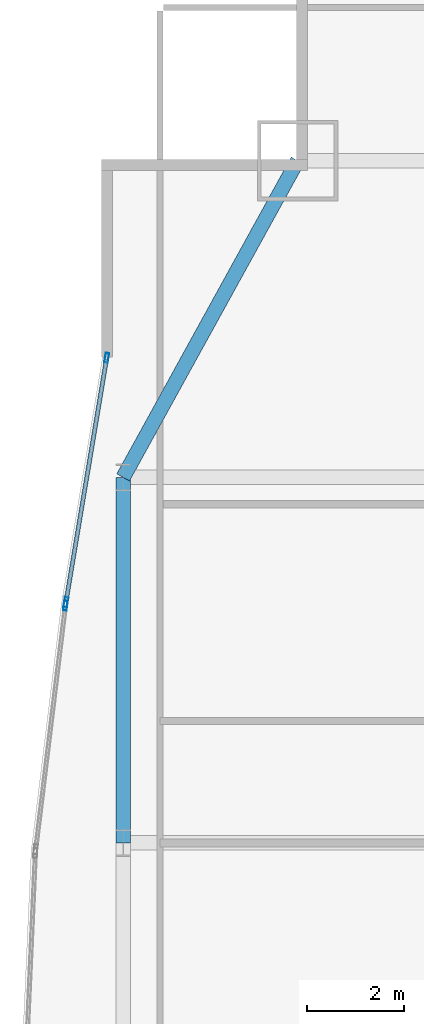
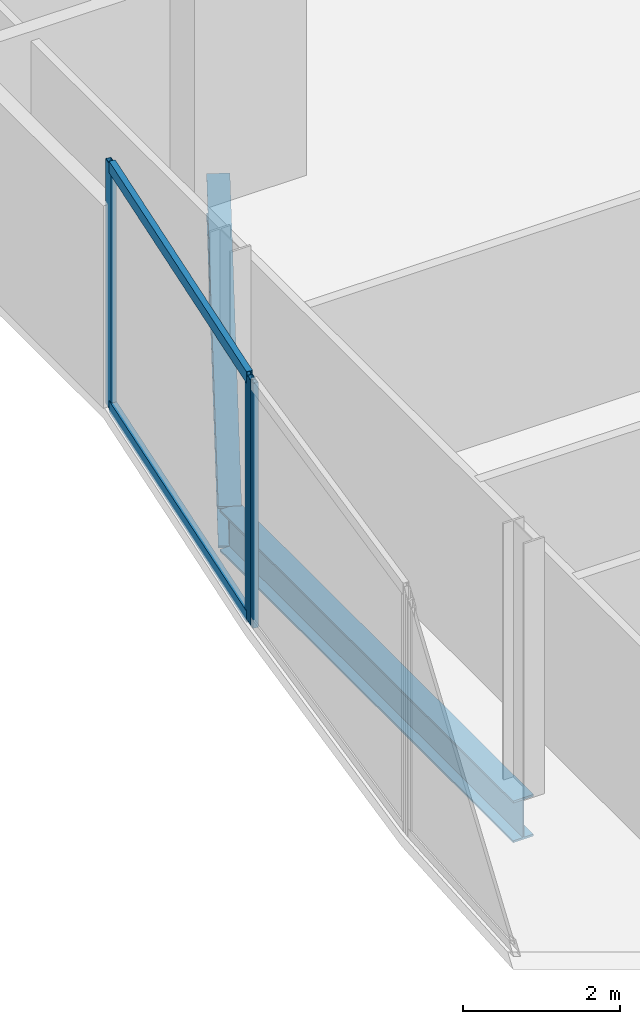
# One storey, part 16 of 32: 5 members, 2 beams, 2 elements without a shape of their own.
"""IFC4 building model written with IfcOpenShell, lengths in metres."""

from ifc_helpers import new_model, si_unit, direction, frame, origin, origin_2d, place, context, subcontext, project, spatial, hollow_rectangle, i_section, extrude, material, material_profile, profile_set, type_object, element, aggregate, save


model = new_model("IFC4")

# Units and contexts
model_context = context("Model", 3, precision=1e-05, world=origin(), true_north=direction((0.0, 1.0)))
body_context = subcontext(model_context, "Body", "Model", "MODEL_VIEW")
ifc_project = project(units=[si_unit("LENGTHUNIT", "METRE"), si_unit("AREAUNIT", "SQUARE_METRE"), si_unit("VOLUMEUNIT", "CUBIC_METRE"), si_unit("PLANEANGLEUNIT", "RADIAN"), si_unit("MASSUNIT", "GRAM", prefix="KILO")], contexts=[model_context])

# Site, building, storey
site_placement = place(None, origin())
site = spatial("IfcSite", under=ifc_project, at=site_placement, CompositionType="ELEMENT")
building_placement = place(site_placement, origin())
building = spatial("IfcBuilding", under=site, at=building_placement, Name="Khoronbel Lancet Exchange", CompositionType="ELEMENT")
storey_placement = place(building_placement, frame((0.0, 0.0, 41.800048828125)))
storey = spatial("IfcBuildingStorey", under=building, at=storey_placement, Name="L09", CompositionType="ELEMENT", Elevation=41.800048828125)

# Beams
ifc_material_1 = material(Name="Steel S355", Category="steel")
ifc_material_profile_1 = material_profile(ifc_material_1, i_section(OverallWidth=0.300048828125, OverallDepth=0.64990234375, WebThickness=0.01611328125, FlangeThickness=0.031005859375, at=origin_2d()), Name="HEB 650")
ifc_profile_set_1 = profile_set([ifc_material_profile_1], Name="Steel S355")
beam_type = type_object("IfcBeamType", Name="BM-BSP1", PredefinedType="SPANDREL", material=ifc_profile_set_1)
beam_1_placement = place(storey_placement, frame((4.85009765625, 49.699951171875, -0.505126953125), z_axis=(-0.482444051088, -0.875926787791, 0.0), x_axis=(0.875926787791, -0.482444051088, 0.0)))
element("IfcBeam", 1, at=beam_1_placement, inside=storey, type_object=beam_type, Name="Level L09 perimeter spandrel beam SP16", PredefinedType="SPANDREL", context=body_context, shape_type="SweptSolid", body=[
    extrude(i_section(OverallWidth=0.300048828125, OverallDepth=0.64990234375, WebThickness=0.01611328125, FlangeThickness=0.031005859375, at=origin_2d()), origin(), (0.0, 0.0, 1.0), 7.420654296875),
])
beam_2_placement = place(storey_placement, frame((1.27001953125, 43.199951171875, -0.505126953125), z_axis=(0.0, -1.0, 0.0), x_axis=(1.0, 0.0, 0.0)))
element("IfcBeam", 2, at=beam_2_placement, inside=storey, type_object=beam_type, Name="Level L09 perimeter spandrel beam SP17", PredefinedType="SPANDREL", context=body_context, shape_type="SweptSolid", body=[
    extrude(i_section(OverallWidth=0.300048828125, OverallDepth=0.64990234375, WebThickness=0.01611328125, FlangeThickness=0.031005859375, at=origin_2d()), origin(), (0.0, 0.0, 1.0), 7.5),
])

# Curtain wall, member
ifc_material_2 = material(Name="Low-E Solar Control Insulating Glass", Category="glass")
curtain_wall_type = type_object("IfcCurtainWallType", Name="CW-4", PredefinedType="NOTDEFINED", material=ifc_material_2)
curtain_wall_1_placement = place(storey_placement, origin())
curtain_wall_1 = element("IfcCurtainWall", 3, at=curtain_wall_1_placement, inside=storey, type_object=curtain_wall_type, Name="Unitised curtain wall CW-L09-E08", PredefinedType="NOTDEFINED")
ifc_material_3 = material(Name="Bronze-Anodised Aluminium 6063-T6", Category="aluminium")
ifc_material_profile_2 = material_profile(ifc_material_3, hollow_rectangle(XDim=0.074951171875, YDim=0.199951171875, WallThickness=0.0048828125, at=origin_2d()), Name="ALU MULLION 75x200")
ifc_profile_set_2 = profile_set([ifc_material_profile_2], Name="Bronze-Anodised Aluminium 6063-T6")
member_type_1 = type_object("IfcMemberType", Name="MEM-CWM2", PredefinedType="MULLION", material=ifc_profile_set_2)
member_1_placement = place(storey_placement, frame((0.086181640625, 40.566650390625, 0.0), z_axis=(0.0, 0.0, 1.0), x_axis=(-0.992621623813, 0.121253090432, 0.0)))
member_1 = element("IfcMember", 4, at=member_1_placement, type_object=member_type_1, Name="CW4 mullion 2", PredefinedType="MULLION", context=body_context, shape_type="SweptSolid", body=[
    extrude(hollow_rectangle(XDim=0.074951171875, YDim=0.199951171875, WallThickness=0.0048828125, at=origin_2d()), origin(), (0.0, 0.0, 1.0), 3.820068359375),
])
aggregate(curtain_wall_1, [member_1])

# Curtain wall, members
curtain_wall_2_placement = place(storey_placement, origin())
curtain_wall_2 = element("IfcCurtainWall", 5, at=curtain_wall_2_placement, inside=storey, type_object=curtain_wall_type, Name="Unitised curtain wall CW-L09-E09", PredefinedType="NOTDEFINED")
member_2_placement = place(storey_placement, frame((0.096923828125, 40.640869140625, 0.0), z_axis=(0.0, 0.0, 1.0), x_axis=(-0.986359850865, 0.164603294624, 0.0)))
member_2 = element("IfcMember", 6, at=member_2_placement, type_object=member_type_1, Name="CW4 mullion 1", PredefinedType="MULLION", context=body_context, shape_type="SweptSolid", body=[
    extrude(hollow_rectangle(XDim=0.074951171875, YDim=0.199951171875, WallThickness=0.0048828125, at=origin_2d()), origin(), (0.0, 0.0, 1.0), 3.820068359375),
])
member_3_placement = place(storey_placement, frame((0.933837890625, 45.655517578125, 0.0), z_axis=(0.0, 0.0, 1.0), x_axis=(-0.986359850865, 0.164603294624, 0.0)))
member_3 = element("IfcMember", 7, at=member_3_placement, type_object=member_type_1, Name="CW4 mullion 2", PredefinedType="MULLION", context=body_context, shape_type="SweptSolid", body=[
    extrude(hollow_rectangle(XDim=0.074951171875, YDim=0.199951171875, WallThickness=0.0048828125, at=origin_2d()), origin(), (0.0, 0.0, 1.0), 3.820068359375),
])
ifc_material_profile_3 = material_profile(ifc_material_3, hollow_rectangle(XDim=0.0849609375, YDim=0.179931640625, WallThickness=0.0048828125, at=origin_2d()), Name="ALU TRANSOM 85x180")
ifc_profile_set_3 = profile_set([ifc_material_profile_3], Name="Bronze-Anodised Aluminium 6063-T6")
member_type_2 = type_object("IfcMemberType", Name="MEM-CWT1", PredefinedType="USERDEFINED", material=ifc_profile_set_3)
member_4_placement = place(storey_placement, frame((0.10302734375, 40.677734375, 0.04248046875), z_axis=(0.164643999947, 0.986353057116, 0.0), x_axis=(-0.986353057116, 0.164643999947, 0.0)))
member_4 = element("IfcMember", 8, at=member_4_placement, type_object=member_type_2, Name="CW4 transom 1.1", ObjectType="TRANSOM", PredefinedType="USERDEFINED", context=body_context, shape_type="SweptSolid", body=[
    extrude(hollow_rectangle(XDim=0.0849609375, YDim=0.179931640625, WallThickness=0.0048828125, at=origin_2d()), origin(), (0.0, 0.0, 1.0), 5.009033203125),
])
member_5_placement = place(storey_placement, frame((0.10302734375, 40.677734375, 3.77734375), z_axis=(0.164643999947, 0.986353057116, 0.0), x_axis=(-0.986353057116, 0.164643999947, 0.0)))
member_5 = element("IfcMember", 9, at=member_5_placement, type_object=member_type_2, Name="CW4 transom 1.2", ObjectType="TRANSOM", PredefinedType="USERDEFINED", context=body_context, shape_type="SweptSolid", body=[
    extrude(hollow_rectangle(XDim=0.0849609375, YDim=0.179931640625, WallThickness=0.0048828125, at=origin_2d()), origin(), (0.0, 0.0, 1.0), 5.009033203125),
])
aggregate(curtain_wall_2, [member_2, member_3, member_4, member_5])

save(model, "model.ifc")
